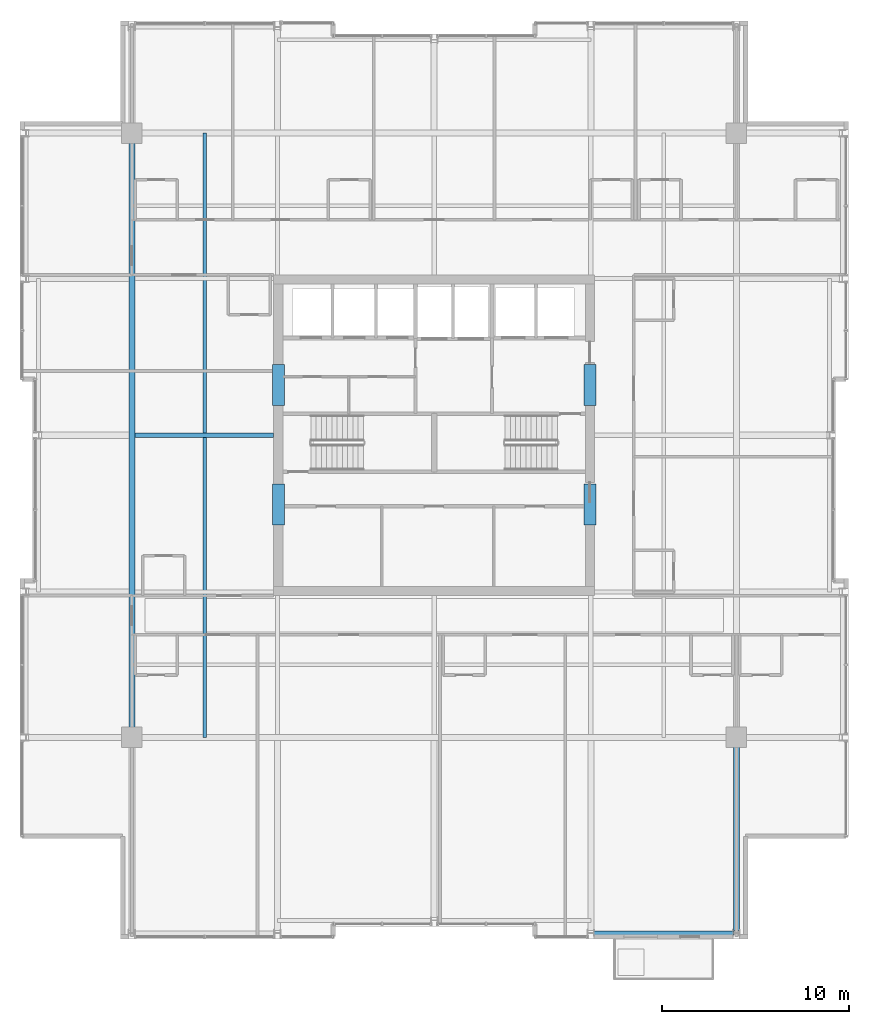
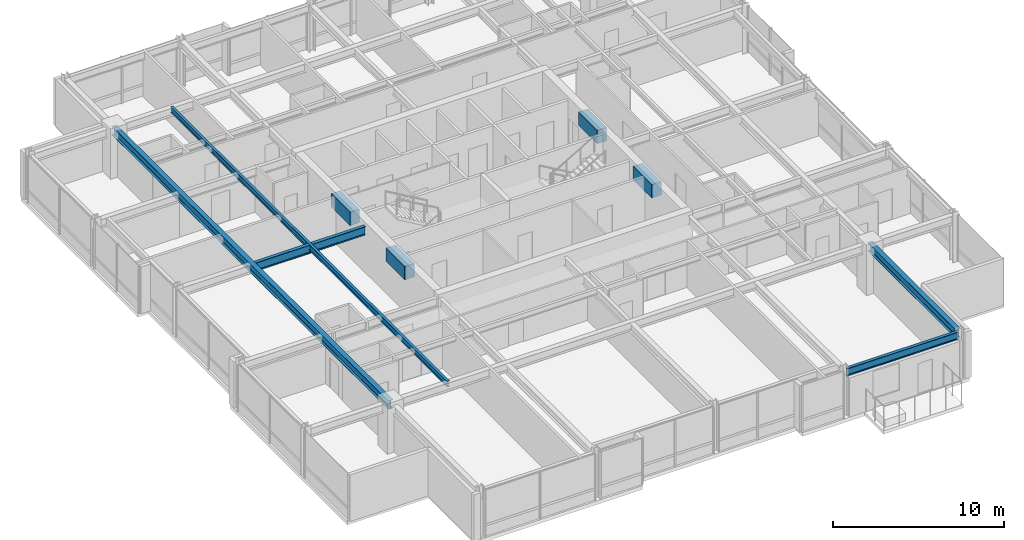
# One storey, part 12 of 31: 9 beams.
"""IFC4 building model written with IfcOpenShell, lengths in metres."""

import ifcopenshell
import ifcopenshell.guid

model = None  # the IFC model being written
_history = None  # IfcOwnerHistory: only IFC2X3 demands one
_inside = {}  # id of a spatial element -> (the spatial element, [elements in it])
_under = {}  # id of a project, library or spatial element -> (it, [spatial elements below it])
_declared = {}  # id of a project -> (the project, [libraries it declares])
_typed = {}  # id of a type object -> (the type object, [elements of that type])
_made_of = {}  # id of a material, layer set ... -> (it, [elements and type objects made of it])


def new_model(schema):
    """Start an empty IFC model of exactly this schema.

    Asked for "IFC4X3", IfcOpenShell would pick the latest addendum, in which some entities
    have other attributes; the version numbers below select the first issue.
    IFC2X3 requires an IfcOwnerHistory on every rooted entity: one is made here for all.
    """
    global model, _history
    if schema == "IFC4X3":
        model = ifcopenshell.file(schema_version=(4, 3, 0, 0))
    else:
        model = ifcopenshell.file(schema=schema)
    _inside.clear()
    _under.clear()
    _declared.clear()
    _typed.clear()
    _made_of.clear()
    _history = None
    if model.schema == "IFC2X3":
        org = make("IfcOrganization", Name="unknown")
        user = make(
            "IfcPersonAndOrganization",
            ThePerson=make("IfcPerson", FamilyName="unknown"),
            TheOrganization=org,
        )
        app = make(
            "IfcApplication",
            ApplicationDeveloper=org,
            Version="unknown",
            ApplicationFullName="unknown",
            ApplicationIdentifier="unknown",
        )
        _history = make(
            "IfcOwnerHistory",
            OwningUser=user,
            OwningApplication=app,
            ChangeAction="ADDED",
            CreationDate=0,
        )
    return model


def make(cls, **values):
    """One entity of the class cls with the attributes given. An attribute that is None is left unset."""
    return model.create_entity(
        cls, **{name: value for name, value in values.items() if value is not None}
    )


def rooted(cls, **values):
    """An entity with a GlobalId (a new one), such as an element, a storey or a relation."""
    return make(cls, GlobalId=ifcopenshell.guid.new(), OwnerHistory=_history, **values)


def si_unit(unit_type, name, prefix=None):
    """IfcSIUnit, for example si_unit("LENGTHUNIT", "METRE", prefix="MILLI")."""
    return make("IfcSIUnit", UnitType=unit_type, Prefix=prefix, Name=name)


def assignment(units):
    """IfcUnitAssignment: the units of a project."""
    return None if units is None else make("IfcUnitAssignment", Units=units)


def point(xyz):
    """IfcCartesianPoint."""
    return None if xyz is None else make("IfcCartesianPoint", Coordinates=xyz)


def direction(xyz):
    """IfcDirection."""
    return None if xyz is None else make("IfcDirection", DirectionRatios=xyz)


def frame(location, z_axis=None, x_axis=None):
    """IfcAxis2Placement3D, a coordinate frame: its origin and axes. An axis left out is left unset."""
    return make(
        "IfcAxis2Placement3D",
        Location=point(location),
        Axis=direction(z_axis),
        RefDirection=direction(x_axis),
    )


def frame_2d(location, x_axis=None):
    """IfcAxis2Placement2D, a coordinate frame in the plane: its origin and x axis."""
    return make(
        "IfcAxis2Placement2D", Location=point(location), RefDirection=direction(x_axis)
    )


def origin():
    """The frame at (0, 0, 0) with its axes left unset."""
    return frame((0.0, 0.0, 0.0))


def origin_2d():
    """The frame at (0, 0) in the plane with its x axis left unset."""
    return frame_2d((0.0, 0.0))


def place(relative_to, where):
    """IfcLocalPlacement: puts the frame where relative to a parent placement (None: the world)."""
    return make(
        "IfcLocalPlacement", PlacementRelTo=relative_to, RelativePlacement=where
    )


def context(
    kind, dimensions, precision=None, world=None, true_north=None, identifier=None
):
    """IfcGeometricRepresentationContext, for example the 3D "Model" context."""
    return make(
        "IfcGeometricRepresentationContext",
        ContextIdentifier=identifier,
        ContextType=kind,
        CoordinateSpaceDimension=dimensions,
        Precision=precision,
        WorldCoordinateSystem=world,
        TrueNorth=true_north,
    )


def subcontext(parent, identifier, kind, view, scale=None):
    """IfcGeometricRepresentationSubContext, for example "Body" below "Model"."""
    return make(
        "IfcGeometricRepresentationSubContext",
        ContextIdentifier=identifier,
        ContextType=kind,
        ParentContext=parent,
        TargetScale=scale,
        TargetView=view,
    )


def project(units=None, contexts=None):
    """IfcProject with its units and contexts."""
    return rooted(
        "IfcProject",
        Name="project",
        RepresentationContexts=contexts,
        UnitsInContext=assignment(units),
    )


def spatial(cls, under=None, at=None, **own):
    """A site, building, storey or space (cls), placed at a placement, below another one or the project."""
    s = rooted(cls, ObjectPlacement=at, **own)
    if under is not None:
        _under.setdefault(under.id(), (under, []))[1].append(s)
    return s


def profile(cls, at=None, kind="AREA", **sizes):
    """A parametric profile (cls). Its sizes go by their IFC names, for example OverallWidth=200.0."""
    return make(cls, ProfileType=kind, Position=at, **sizes)


def rectangle(**sizes):
    """IfcRectangleProfileDef."""
    return profile("IfcRectangleProfileDef", **sizes)


def i_section(**sizes):
    """IfcIShapeProfileDef."""
    return profile("IfcIShapeProfileDef", **sizes)


def extrude(swept, where, along, depth):
    """IfcExtrudedAreaSolid: the profile swept, set in the frame where, extruded along a direction by depth."""
    return make(
        "IfcExtrudedAreaSolid",
        SweptArea=swept,
        Position=where,
        ExtrudedDirection=direction(along),
        Depth=depth,
    )


def shape(context_of_items, identifier, shape_type, items):
    """IfcShapeRepresentation: the items that make up one representation, for example the "Body"."""
    return make(
        "IfcShapeRepresentation",
        ContextOfItems=context_of_items,
        RepresentationIdentifier=identifier,
        RepresentationType=shape_type,
        Items=items,
    )


def material(Name=None, Category=None):
    """IfcMaterial."""
    return make("IfcMaterial", Name=Name, Category=Category)


def material_profile(
    of_material, cross_section, Name=None, Category=None, Priority=None
):
    """IfcMaterialProfile: a cross section and its material."""
    return make(
        "IfcMaterialProfile",
        Name=Name,
        Material=of_material,
        Profile=cross_section,
        Priority=Priority,
        Category=Category,
    )


def profile_set(profiles, Name=None, composite=None):
    """IfcMaterialProfileSet."""
    return make(
        "IfcMaterialProfileSet",
        Name=Name,
        MaterialProfiles=profiles,
        CompositeProfile=composite,
    )


def made_of(thing, what):
    """Note that an element or type object is made of a material, layer set ...; save() writes the relation."""
    if what is not None:
        _made_of.setdefault(what.id(), (what, []))[1].append(thing)
    return thing


def type_object(cls, material=None, **own):
    """A type object (cls), such as IfcWallType, which elements share."""
    return made_of(rooted(cls, **own), material)


def element(
    cls,
    number,
    at=None,
    inside=None,
    cuts=None,
    type_object=None,
    material=None,
    context=None,
    identifier="Body",
    shape_type=None,
    held_by="IfcProductDefinitionShape",
    body=None,
    shapes=None,
    **own,
):
    """One element of the class cls, such as IfcWall. Its Tag is "e" and its number.

    at: its placement. inside: the storey or other place that contains it. cuts: it is an
    opening in that element (IfcRelVoidsElement). A single representation is given by context,
    identifier, shape_type and body (its items); several are given by shapes. held_by: the class
    of the entity that holds the representations. save() writes the other relations.
    """
    e = rooted(cls, Tag="e%d" % number, ObjectPlacement=at, **own)
    if body is not None:
        shapes = [shape(context, identifier, shape_type, body)]
    if shapes is not None:
        e.Representation = make(held_by, Representations=shapes)
    if inside is not None:
        _inside.setdefault(inside.id(), (inside, []))[1].append(e)
    if cuts is not None:
        rooted(
            "IfcRelVoidsElement", RelatingBuildingElement=cuts, RelatedOpeningElement=e
        )
    if type_object is not None:
        _typed.setdefault(type_object.id(), (type_object, []))[1].append(e)
    return made_of(e, material)


def aggregate(whole, parts):
    """IfcRelAggregates: a whole, such as a stair, and the parts it consists of."""
    return rooted("IfcRelAggregates", RelatingObject=whole, RelatedObjects=parts)


def save(model, path):
    """Write the relations noted so far, then the file.

    IfcRelAggregates (storeys below a building ...), IfcRelContainedInSpatialStructure (elements
    in a storey), IfcRelDefinesByType, IfcRelAssociatesMaterial and IfcRelDeclares: one each for
    every whole, place, type object, material and project.
    """
    for whole, parts in _under.values():
        aggregate(whole, parts)
    for where, things in _inside.values():
        rooted(
            "IfcRelContainedInSpatialStructure",
            RelatedElements=things,
            RelatingStructure=where,
        )
    for kind, things in _typed.values():
        rooted("IfcRelDefinesByType", RelatedObjects=things, RelatingType=kind)
    for what, things in _made_of.values():
        rooted("IfcRelAssociatesMaterial", RelatedObjects=things, RelatingMaterial=what)
    for by, libraries in _declared.values():
        rooted("IfcRelDeclares", RelatingContext=by, RelatedDefinitions=libraries)
    model.write(path)


model = new_model("IFC4")

# Units and contexts
model_context = context("Model", 3, precision=1e-05, world=origin(), true_north=direction((0.0, 1.0)))
body_context = subcontext(model_context, "Body", "Model", "MODEL_VIEW")
ifc_project = project(units=[si_unit("LENGTHUNIT", "METRE"), si_unit("AREAUNIT", "SQUARE_METRE"), si_unit("VOLUMEUNIT", "CUBIC_METRE"), si_unit("PLANEANGLEUNIT", "RADIAN"), si_unit("MASSUNIT", "GRAM", prefix="KILO")], contexts=[model_context])

# Site, building, storey
site_placement = place(None, origin())
site = spatial("IfcSite", under=ifc_project, at=site_placement, CompositionType="ELEMENT")
building_placement = place(site_placement, origin())
building = spatial("IfcBuilding", under=site, at=building_placement, Name="Drelvath Grand Hotel", CompositionType="ELEMENT")
storey_placement = place(building_placement, frame((0.0, 0.0, 244.699951171875)))
storey = spatial("IfcBuildingStorey", under=building, at=storey_placement, Name="L64", CompositionType="ELEMENT", Elevation=244.699951171875)

# Beams
ifc_material_1 = material(Name="Steel ASTM A992 Gr 50", Category="steel")
ifc_material_profile_1 = material_profile(ifc_material_1, i_section(OverallWidth=0.177734375, OverallDepth=0.40673828125, WebThickness=0.0078125, FlangeThickness=0.0126953125, FilletRadius=0.014892578125, at=origin_2d()), Name="W16X40")
ifc_profile_set_1 = profile_set([ifc_material_profile_1], Name="Steel ASTM A992 Gr 50")
beam_type_1 = type_object("IfcBeamType", Name="Composite Floor Joist W16X40", PredefinedType="JOIST", material=ifc_profile_set_1)
beam_1_placement = place(storey_placement, frame((-12.300048828125, 10.800048828125, 3.13671875), z_axis=(0.0, 1.0, 0.0), x_axis=(-1.0, 0.0, 0.0)))
element("IfcBeam", 1, at=beam_1_placement, inside=storey, type_object=beam_type_1, Name="L64 Wing Floor Joist J3", PredefinedType="JOIST", context=body_context, shape_type="SweptSolid", body=[
    extrude(i_section(OverallWidth=0.177734375, OverallDepth=0.40673828125, WebThickness=0.0078125, FlangeThickness=0.0126953125, FilletRadius=0.014892578125, at=origin_2d()), origin(), (0.0, 0.0, 1.0), 32.39990234375),
])
ifc_material_2 = material(Name="Concrete f'c 55 MPa", Category="concrete")
ifc_material_profile_2 = material_profile(ifc_material_2, rectangle(XDim=0.64990234375, YDim=0.949951171875, at=origin_2d()), Name="CB650X950")
ifc_profile_set_2 = profile_set([ifc_material_profile_2], Name="Concrete f'c 55 MPa")
beam_type_2 = type_object("IfcBeamType", Name="Core Coupling Lintel CB650X950", PredefinedType="LINTEL", material=ifc_profile_set_2)
for number, where, z_axis, x_axis, name in (
    (2, (-8.35009765625, 22.199951171875, 2.864990234375), (0.0, 1.0, 0.0), (-1.0, 0.0, 0.0), "L64 Core Coupling Lintel WS"),
    (3, (-8.35009765625, 28.60009765625, 2.864990234375), (0.0, 1.0, 0.0), (-1.0, 0.0, 0.0), "L64 Core Coupling Lintel WN"),
    (4, (8.35009765625, 22.199951171875, 2.864990234375), (0.0, 1.0, 0.0), (-1.0, 0.0, 0.0), "L64 Core Coupling Lintel ES"),
    (5, (8.35009765625, 28.60009765625, 2.864990234375), (0.0, 1.0, 0.0), (-1.0, 0.0, 0.0), "L64 Core Coupling Lintel EN"),
):
    element("IfcBeam", number, at=place(storey_placement, frame(where, z_axis=z_axis, x_axis=x_axis)), inside=storey, type_object=beam_type_2, Name=name, PredefinedType="LINTEL", context=body_context, shape_type="SweptSolid", body=[
        extrude(rectangle(XDim=0.64990234375, YDim=0.949951171875, at=origin_2d()), origin(), (0.0, 0.0, 1.0), 2.199951171875),
    ])
ifc_material_profile_3 = material_profile(ifc_material_1, i_section(OverallWidth=0.210205078125, OverallDepth=0.53662109375, WebThickness=0.010986328125, FlangeThickness=0.017333984375, FilletRadius=0.01806640625, at=origin_2d()), Name="W21X68")
ifc_profile_set_3 = profile_set([ifc_material_profile_3], Name="Steel ASTM A992 Gr 50")
beam_type_3 = type_object("IfcBeamType", Name="Perimeter Spandrel Beam W21X68", PredefinedType="SPANDREL", material=ifc_profile_set_3)
beam_2_placement = place(storey_placement, frame((8.5400390625, 0.320068359375, 3.071533203125), z_axis=(1.0, 0.0, 0.0), x_axis=(0.0, 1.0, 0.0)))
element("IfcBeam", 6, at=beam_2_placement, inside=storey, type_object=beam_type_3, Name="L64 Spandrel South E", PredefinedType="SPANDREL", context=body_context, shape_type="SweptSolid", body=[
    extrude(i_section(OverallWidth=0.210205078125, OverallDepth=0.53662109375, WebThickness=0.010986328125, FlangeThickness=0.017333984375, FilletRadius=0.01806640625, at=origin_2d()), origin(), (0.0, 0.0, 1.0), 7.52001953125),
])
ifc_material_profile_4 = material_profile(ifc_material_1, i_section(OverallWidth=0.323974609375, OverallDepth=0.611083984375, WebThickness=0.0126953125, FlangeThickness=0.01904296875, FilletRadius=0.02197265625, at=origin_2d()), Name="W24X104")
ifc_profile_set_4 = profile_set([ifc_material_profile_4], Name="Steel ASTM A992 Gr 50")
beam_type_4 = type_object("IfcBeamType", Name="Primary Floor Girder W24X104", PredefinedType="BEAM", material=ifc_profile_set_4)
beam_3_placement = place(storey_placement, frame((-16.199951171875, 10.800048828125, 3.034423828125), z_axis=(0.0, 1.0, 0.0), x_axis=(-1.0, 0.0, 0.0)))
element("IfcBeam", 7, at=beam_3_placement, inside=storey, type_object=beam_type_4, Name="L64 Mega Ring Girder West", PredefinedType="BEAM", context=body_context, shape_type="SweptSolid", body=[
    extrude(i_section(OverallWidth=0.323974609375, OverallDepth=0.611083984375, WebThickness=0.0126953125, FlangeThickness=0.01904296875, FilletRadius=0.02197265625, at=origin_2d()), origin(), (0.0, 0.0, 1.0), 32.39990234375),
])
beam_4_placement = place(storey_placement, frame((16.199951171875, 0.4599609375, 3.034423828125), z_axis=(0.0, 1.0, 0.0), x_axis=(-1.0, 0.0, 0.0)))
element("IfcBeam", 8, at=beam_4_placement, inside=storey, type_object=beam_type_4, Name="L64 South Grid Girder 7", PredefinedType="BEAM", context=body_context, shape_type="SweptSolid", body=[
    extrude(i_section(OverallWidth=0.323974609375, OverallDepth=0.611083984375, WebThickness=0.0126953125, FlangeThickness=0.01904296875, FilletRadius=0.02197265625, at=origin_2d()), origin(), (0.0, 0.0, 1.0), 10.340087890625),
])
ifc_material_profile_5 = material_profile(ifc_material_1, i_section(OverallWidth=0.228271484375, OverallDepth=0.607666015625, WebThickness=0.01123046875, FlangeThickness=0.017333984375, FilletRadius=0.02001953125, at=origin_2d()), Name="W24X76")
ifc_profile_set_5 = profile_set([ifc_material_profile_5], Name="Steel ASTM A992 Gr 50")
beam_type_5 = type_object("IfcBeamType", Name="Primary Floor Girder W24X76", PredefinedType="BEAM", material=ifc_profile_set_5)
beam_5_placement = place(storey_placement, frame((-16.0380859375, 27.0, 3.0361328125), z_axis=(1.0, 0.0, 0.0), x_axis=(0.0, 1.0, 0.0)))
element("IfcBeam", 9, at=beam_5_placement, inside=storey, type_object=beam_type_5, Name="L64 West Core Tie E", PredefinedType="BEAM", context=body_context, shape_type="SweptSolid", body=[
    extrude(i_section(OverallWidth=0.228271484375, OverallDepth=0.607666015625, WebThickness=0.01123046875, FlangeThickness=0.017333984375, FilletRadius=0.02001953125, at=origin_2d()), origin(), (0.0, 0.0, 1.0), 7.43798828125),
])

save(model, "model.ifc")
